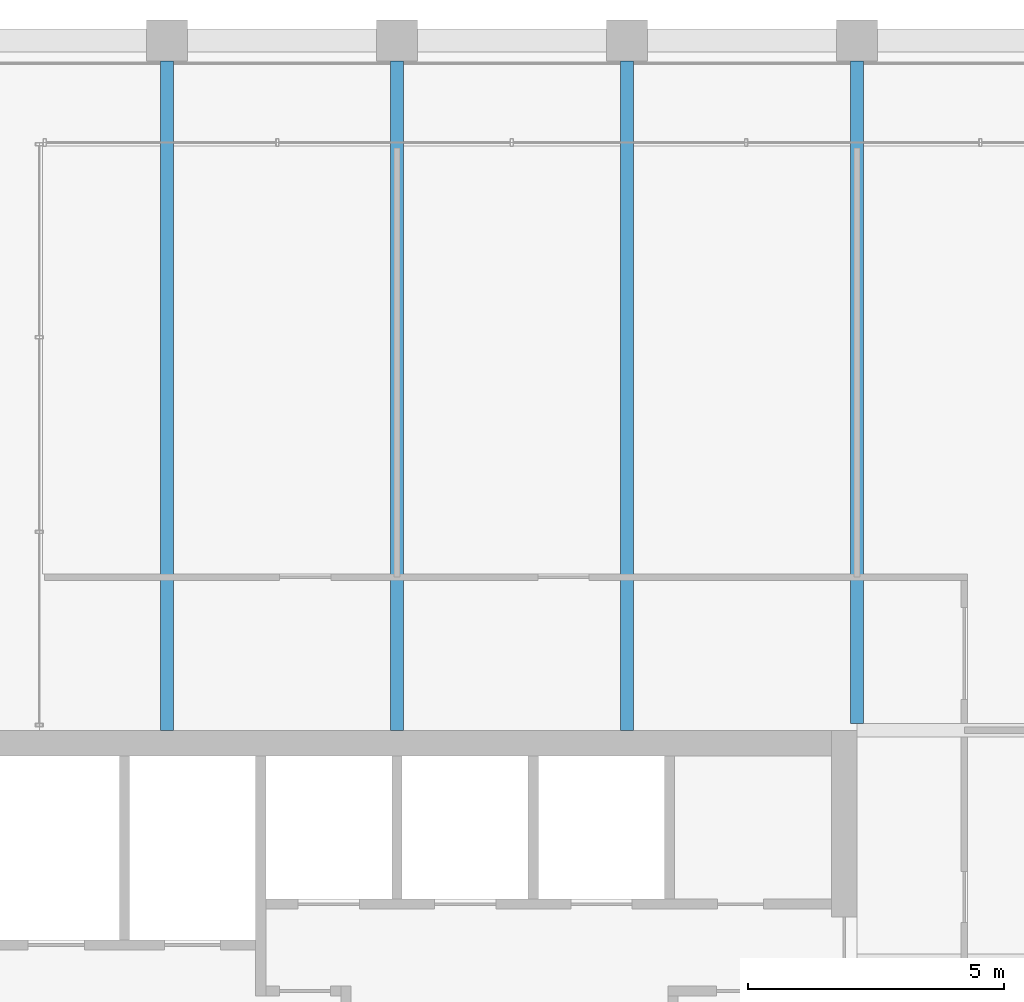
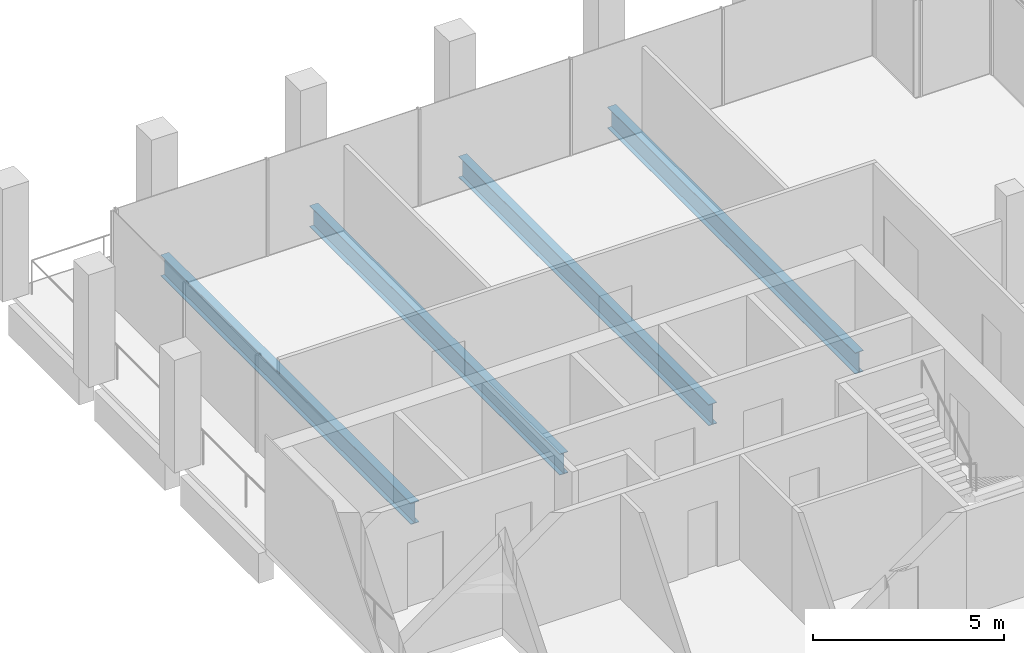
# One storey, part 22 of 30: 4 beams.
"""IFC4 building model written with IfcOpenShell, lengths in metres."""

from ifc_helpers import new_model, si_unit, direction, frame, origin, origin_2d, place, context, subcontext, project, spatial, i_section, extrude, material, material_profile, profile_set, type_object, element, save


model = new_model("IFC4")

# Units and contexts
model_context = context("Model", 3, precision=1e-05, world=origin(), true_north=direction((0.0, 1.0)))
body_context = subcontext(model_context, "Body", "Model", "MODEL_VIEW")
ifc_project = project(units=[si_unit("LENGTHUNIT", "METRE"), si_unit("AREAUNIT", "SQUARE_METRE"), si_unit("VOLUMEUNIT", "CUBIC_METRE"), si_unit("PLANEANGLEUNIT", "RADIAN"), si_unit("MASSUNIT", "GRAM", prefix="KILO")], contexts=[model_context])

# Site, building, storey
site_placement = place(None, origin())
site = spatial("IfcSite", under=ifc_project, at=site_placement, CompositionType="ELEMENT")
building_placement = place(site_placement, origin())
building = spatial("IfcBuilding", under=site, at=building_placement, Name="Altepetl Exchange Towers", CompositionType="ELEMENT")
storey_placement = place(building_placement, frame((0.0, 0.0, 228.0)))
storey = spatial("IfcBuildingStorey", under=building, at=storey_placement, Name="L58", CompositionType="ELEMENT", Elevation=228.0)

# Beams
ifc_material = material(Name="Steel S355", Category="steel")
ifc_material_profile = material_profile(ifc_material, i_section(OverallWidth=0.2529296875, OverallDepth=0.677978515625, WebThickness=0.01171875, FlangeThickness=0.016357421875, at=origin_2d()), Name="W27X84")
ifc_profile_set = profile_set([ifc_material_profile], Name="Steel S355")
beam_type = type_object("IfcBeamType", Name="Floor beam W27X84", PredefinedType="BEAM", material=ifc_profile_set)
for number, where, z_axis, x_axis, name in (
    (1, (45.0, 58.5, -0.489013671875), (0.0, 1.0, 0.0), (-1.0, 0.0, 0.0), "bm:A:L58:000"),
    (2, (49.5, 58.5, -0.489013671875), (0.0, 1.0, 0.0), (-1.0, 0.0, 0.0), "bm:A:L58:001"),
    (3, (54.0, 58.5, -0.489013671875), (0.0, 1.0, 0.0), (-1.0, 0.0, 0.0), "bm:A:L58:002"),
):
    element("IfcBeam", number, at=place(storey_placement, frame(where, z_axis=z_axis, x_axis=x_axis)), inside=storey, type_object=beam_type, Name=name, PredefinedType="BEAM", context=body_context, shape_type="SweptSolid", body=[
        extrude(i_section(OverallWidth=0.2529296875, OverallDepth=0.677978515625, WebThickness=0.01171875, FlangeThickness=0.016357421875, at=origin_2d()), origin(), (0.0, 0.0, 1.0), 13.10009765625),
    ])
beam_placement = place(storey_placement, frame((58.5, 58.634033203125, -0.489013671875), z_axis=(0.0, 1.0, 0.0), x_axis=(-1.0, 0.0, 0.0)))
element("IfcBeam", 4, at=beam_placement, inside=storey, type_object=beam_type, Name="bm:A:L58:003", PredefinedType="BEAM", context=body_context, shape_type="SweptSolid", body=[
    extrude(i_section(OverallWidth=0.2529296875, OverallDepth=0.677978515625, WebThickness=0.01171875, FlangeThickness=0.016357421875, at=origin_2d()), origin(), (0.0, 0.0, 1.0), 12.966064453125),
])

save(model, "model.ifc")
